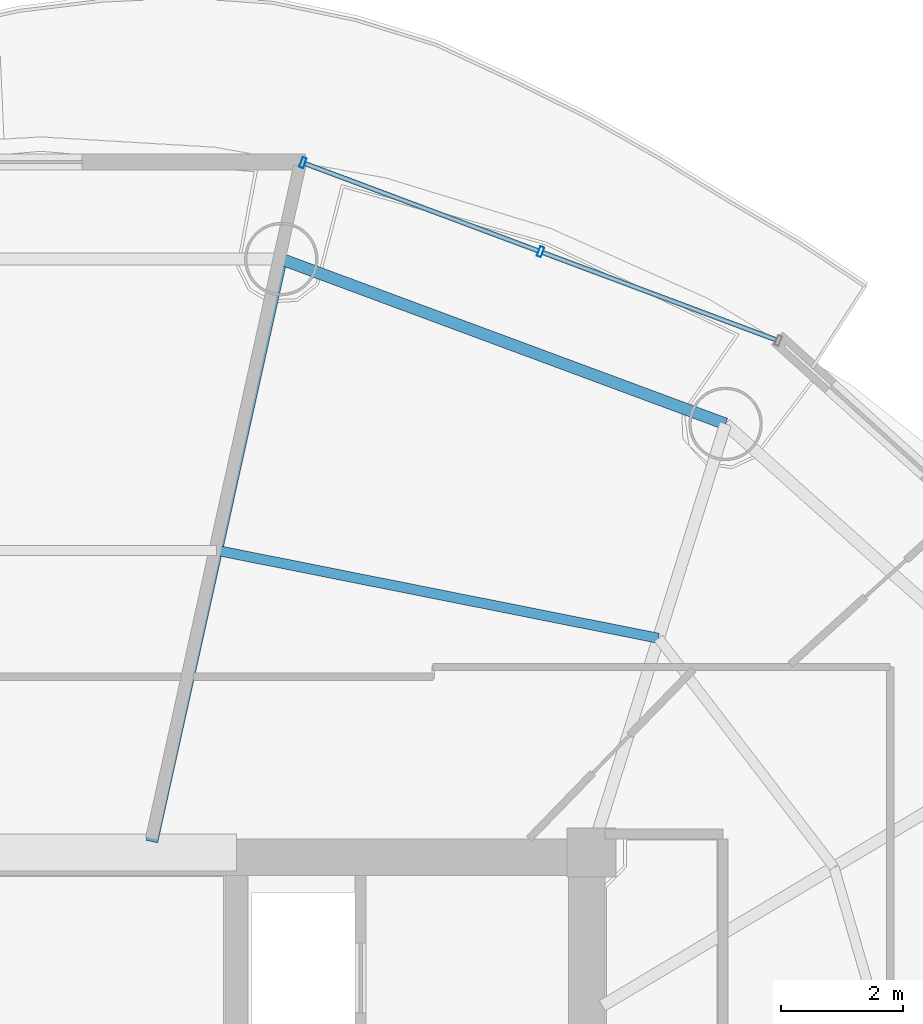
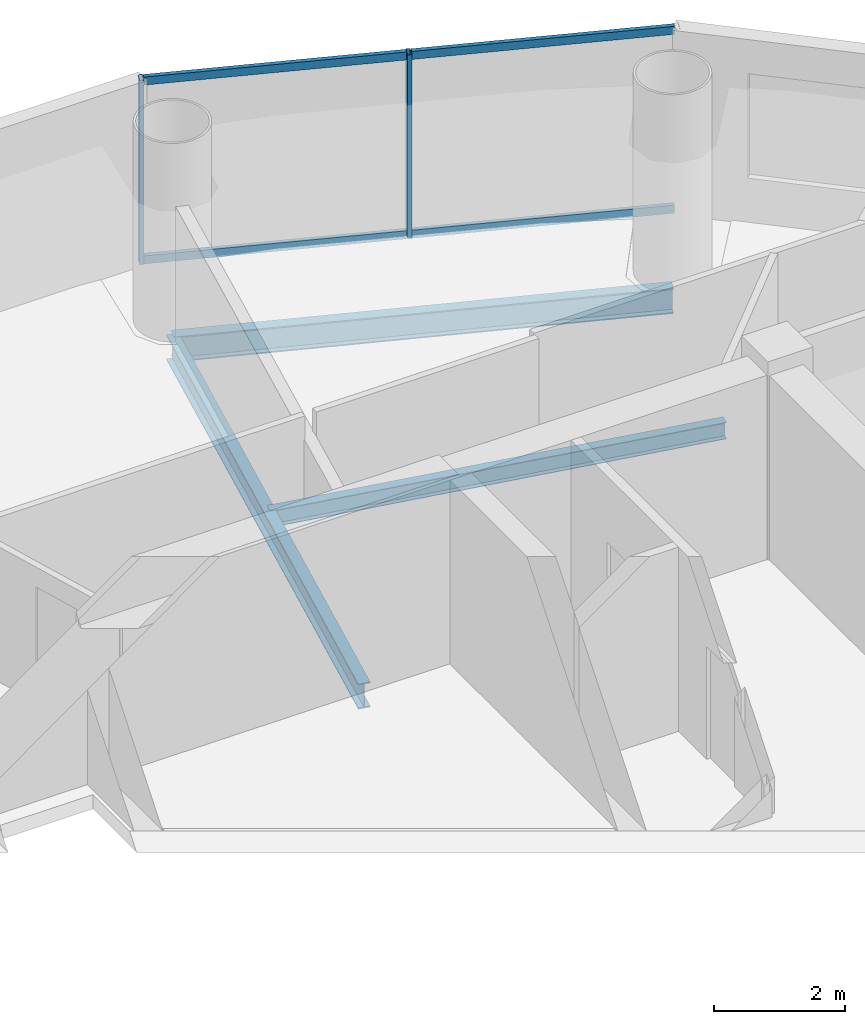
# One storey, part 17 of 26: 6 members, 3 beams, 1 element without a shape of its own.
"""IFC4 building model written with IfcOpenShell, lengths in metres."""

from ifc_helpers import new_model, si_unit, direction, frame, origin, origin_2d, place, context, subcontext, project, spatial, hollow_rectangle, i_section, extrude, source, transform, mapped, material, material_profile, profile_set, type_object, element, aggregate, save


model = new_model("IFC4")

# Units and contexts
model_context = context("Model", 3, precision=1e-05, world=origin(), true_north=direction((-0.2419218956, 0.970295726276)))
body_context = subcontext(model_context, "Body", "Model", "MODEL_VIEW")
ifc_project = project(units=[si_unit("LENGTHUNIT", "METRE"), si_unit("AREAUNIT", "SQUARE_METRE"), si_unit("VOLUMEUNIT", "CUBIC_METRE"), si_unit("PLANEANGLEUNIT", "RADIAN"), si_unit("MASSUNIT", "GRAM", prefix="KILO")], contexts=[model_context])

# Site, building, storey
site_placement = place(None, origin())
site = spatial("IfcSite", under=ifc_project, at=site_placement, CompositionType="ELEMENT")
building_placement = place(site_placement, origin())
building = spatial("IfcBuilding", under=site, at=building_placement, Name="Cobrevalo Terracotta Tower", CompositionType="ELEMENT")
storey_placement = place(building_placement, frame((0.0, 0.0, 224.5)))
storey = spatial("IfcBuildingStorey", under=building, at=storey_placement, Name="L59", CompositionType="ELEMENT", Elevation=224.5)

# Beams
ifc_material_1 = material(Name="Steel S355", Category="steel")
ifc_material_profile_1 = material_profile(ifc_material_1, i_section(OverallWidth=0.194091796875, OverallDepth=0.468994140625, WebThickness=0.011474609375, FlangeThickness=0.0205078125, at=origin_2d()), Name="W 460x106")
ifc_profile_set_1 = profile_set([ifc_material_profile_1], Name="Steel S355")
beam_type_1 = type_object("IfcBeamType", Name="Structural Beam W 460x106 (Steel S355)", PredefinedType="BEAM", material=ifc_profile_set_1)
beam_1_placement = place(storey_placement, frame((41.93115234375, 44.503173828125, -0.49951171875), z_axis=(-0.216782061165, -0.976220025382, 0.0), x_axis=(0.976220025382, -0.216782061165, 0.0)))
element("IfcBeam", 1, at=beam_1_placement, inside=storey, type_object=beam_type_1, Name="L59 radial floor girder 04", PredefinedType="BEAM", context=body_context, shape_type="SweptSolid", body=[
    extrude(i_section(OverallWidth=0.194091796875, OverallDepth=0.468994140625, WebThickness=0.011474609375, FlangeThickness=0.0205078125, at=origin_2d()), origin(), (0.0, 0.0, 1.0), 9.755126953125),
])
ifc_material_profile_2 = material_profile(ifc_material_1, i_section(OverallWidth=0.1650390625, OverallDepth=0.31005859375, WebThickness=0.005859375, FlangeThickness=0.009765625, at=origin_2d()), Name="W 310x38.7")
ifc_profile_set_2 = profile_set([ifc_material_profile_2], Name="Steel S355")
beam_type_2 = type_object("IfcBeamType", Name="Structural Joist W 310x38.7 (Steel S355)", PredefinedType="JOIST", material=ifc_profile_set_2)
beam_2_placement = place(storey_placement, frame((48.097412109375, 38.303955078125, -0.419921875), z_axis=(-0.980762562197, 0.195204499418, 0.0), x_axis=(-0.195204499418, -0.980762562197, 0.0)))
element("IfcBeam", 2, at=beam_2_placement, inside=storey, type_object=beam_type_2, Name="L59 circumferential secondary floor joist 03", PredefinedType="JOIST", context=body_context, shape_type="SweptSolid", body=[
    extrude(i_section(OverallWidth=0.1650390625, OverallDepth=0.31005859375, WebThickness=0.005859375, FlangeThickness=0.009765625, at=origin_2d()), origin(), (0.0, 0.0, 1.0), 7.365234375),
])
ifc_material_profile_3 = material_profile(ifc_material_1, i_section(OverallWidth=0.194091796875, OverallDepth=0.468994140625, WebThickness=0.011474609375, FlangeThickness=0.0205078125, at=origin_2d()), Name="W 460x106")
ifc_profile_set_3 = profile_set([ifc_material_profile_3], Name="Steel S355")
beam_type_3 = type_object("IfcBeamType", Name="Structural Spandrel W 460x106 (Steel S355)", PredefinedType="SPANDREL", material=ifc_profile_set_3)
beam_3_placement = place(storey_placement, frame((49.19482421875, 41.80810546875, -0.49951171875), z_axis=(-0.937545996665, 0.347861328892, 0.0), x_axis=(-0.347861328892, -0.937545996665, 0.0)))
element("IfcBeam", 3, at=beam_3_placement, inside=storey, type_object=beam_type_3, Name="L59 perimeter ring spandrel 03", PredefinedType="SPANDREL", context=body_context, shape_type="SweptSolid", body=[
    extrude(i_section(OverallWidth=0.194091796875, OverallDepth=0.468994140625, WebThickness=0.011474609375, FlangeThickness=0.0205078125, at=origin_2d()), origin(), (0.0, 0.0, 1.0), 7.74755859375),
])

# Curtain wall, members
ifc_material_2 = material(Name="Anodized aluminium", Category="aluminium")
curtain_wall_type = type_object("IfcCurtainWallType", Name="Mid-tower high-wind unitised curtain wall CW-U2", PredefinedType="NOTDEFINED", material=ifc_material_2)
curtain_wall_placement = place(storey_placement, origin())
curtain_wall = element("IfcCurtainWall", 4, at=curtain_wall_placement, inside=storey, type_object=curtain_wall_type, Name="L59 curtain wall CW-L59-S03", PredefinedType="NOTDEFINED")
ifc_material_profile_4 = material_profile(ifc_material_2, hollow_rectangle(XDim=0.074951171875, YDim=0.14990234375, WallThickness=0.00439453125, at=origin_2d()), Name="CWT 75x150")
ifc_profile_set_4 = profile_set([ifc_material_profile_4], Name="Anodized aluminium")
member_type_1 = type_object("IfcMemberType", Name="Tower unitised aluminium transom 75x150", PredefinedType="USERDEFINED", material=ifc_profile_set_4)
shared_shape_1 = source(origin(), body_context, "Body", "SweptSolid", [
    extrude(hollow_rectangle(XDim=0.074951171875, YDim=0.14990234375, WallThickness=0.00439453125, at=origin_2d()), origin(), (0.0, 0.0, 1.0), 4.069580078125),
])
member_1_placement = place(storey_placement, frame((50.019775390625, 43.18310546875, 0.050048828125), z_axis=(-0.936548420649, 0.350538237259, 0.0), x_axis=(-0.350538237259, -0.936548420649, 0.0)))
member_1 = element("IfcMember", 5, at=member_1_placement, type_object=member_type_1, Name="CW-L59-S03 transom B01-T1", ObjectType="TRANSOM", PredefinedType="USERDEFINED", context=body_context, shape_type="MappedRepresentation", body=[
    mapped(shared_shape_1, transform((0.0, 0.0, 0.0), scale=1.0)),
])
member_2_placement = place(storey_placement, frame((50.019775390625, 43.18310546875, 3.385009765625), z_axis=(-0.936548420649, 0.350538237259, 0.0), x_axis=(-0.350538237259, -0.936548420649, 0.0)))
member_2 = element("IfcMember", 6, at=member_2_placement, type_object=member_type_1, Name="CW-L59-S03 transom B01-T2", ObjectType="TRANSOM", PredefinedType="USERDEFINED", context=body_context, shape_type="MappedRepresentation", body=[
    mapped(shared_shape_1, transform((0.0, 0.0, 0.0), scale=1.0)),
])
shared_shape_2 = source(origin(), body_context, "Body", "SweptSolid", [
    extrude(hollow_rectangle(XDim=0.074951171875, YDim=0.14990234375, WallThickness=0.00439453125, at=origin_2d()), origin(), (0.0, 0.0, 1.0), 4.06982421875),
])
member_3_placement = place(storey_placement, frame((46.133544921875, 44.637451171875, 0.050048828125), z_axis=(-0.936555791772, 0.350518542873, 0.0), x_axis=(-0.350518542873, -0.936555791772, 0.0)))
member_3 = element("IfcMember", 7, at=member_3_placement, type_object=member_type_1, Name="CW-L59-S03 transom B02-T1", ObjectType="TRANSOM", PredefinedType="USERDEFINED", context=body_context, shape_type="MappedRepresentation", body=[
    mapped(shared_shape_2, transform((0.0, 0.0, 0.0), scale=1.0)),
])
member_4_placement = place(storey_placement, frame((46.133544921875, 44.637451171875, 3.385009765625), z_axis=(-0.936555791772, 0.350518542873, 0.0), x_axis=(-0.350518542873, -0.936555791772, 0.0)))
member_4 = element("IfcMember", 8, at=member_4_placement, type_object=member_type_1, Name="CW-L59-S03 transom B02-T2", ObjectType="TRANSOM", PredefinedType="USERDEFINED", context=body_context, shape_type="MappedRepresentation", body=[
    mapped(shared_shape_2, transform((0.0, 0.0, 0.0), scale=1.0)),
])
ifc_material_profile_5 = material_profile(ifc_material_2, hollow_rectangle(XDim=0.070068359375, YDim=0.169921875, WallThickness=0.00439453125, at=origin_2d()), Name="CWM 70x170")
ifc_profile_set_5 = profile_set([ifc_material_profile_5], Name="Anodized aluminium")
member_type_2 = type_object("IfcMemberType", Name="Upper tower unitised mullion 70x170", PredefinedType="MULLION", material=ifc_profile_set_5)
shared_shape_3 = source(origin(), body_context, "Body", "SweptSolid", [
    extrude(hollow_rectangle(XDim=0.070068359375, YDim=0.169921875, WallThickness=0.00439453125, at=origin_2d()), origin(), (0.0, 0.0, 1.0), 3.43505859375),
])
member_5_placement = place(storey_placement, frame((46.1708984375, 44.62353515625, 0.0), z_axis=(0.0, 0.0, 1.0), x_axis=(-0.936556004584, 0.350517974259, 0.0)))
member_5 = element("IfcMember", 9, at=member_5_placement, type_object=member_type_2, Name="CW-L59-S03 vertical mullion 02", PredefinedType="MULLION", context=body_context, shape_type="MappedRepresentation", body=[
    mapped(shared_shape_3, transform((0.0, 0.0, 0.0), scale=1.0)),
])
member_6_placement = place(storey_placement, frame((42.28466796875, 46.078125, 0.0), z_axis=(0.0, 0.0, 1.0), x_axis=(-0.936556004584, 0.350517974259, 0.0)))
member_6 = element("IfcMember", 10, at=member_6_placement, type_object=member_type_2, Name="CW-L59-S03 vertical mullion 03", PredefinedType="MULLION", context=body_context, shape_type="MappedRepresentation", body=[
    mapped(shared_shape_3, transform((0.0, 0.0, 0.0), scale=1.0)),
])
aggregate(curtain_wall, [member_5, member_6, member_1, member_2, member_3, member_4])

save(model, "model.ifc")
